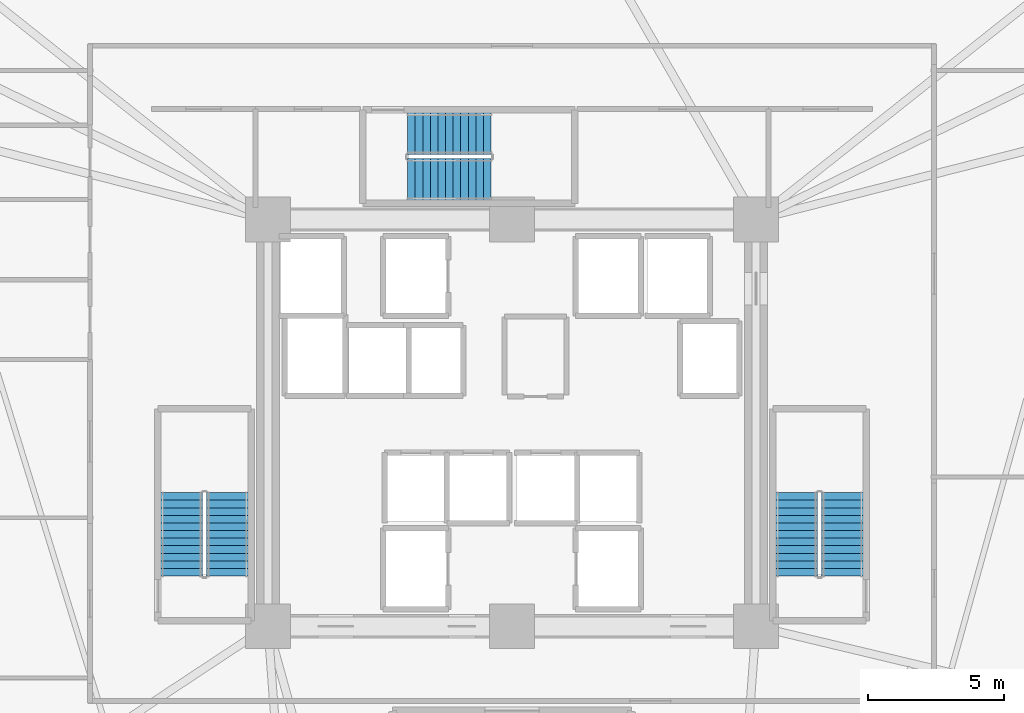
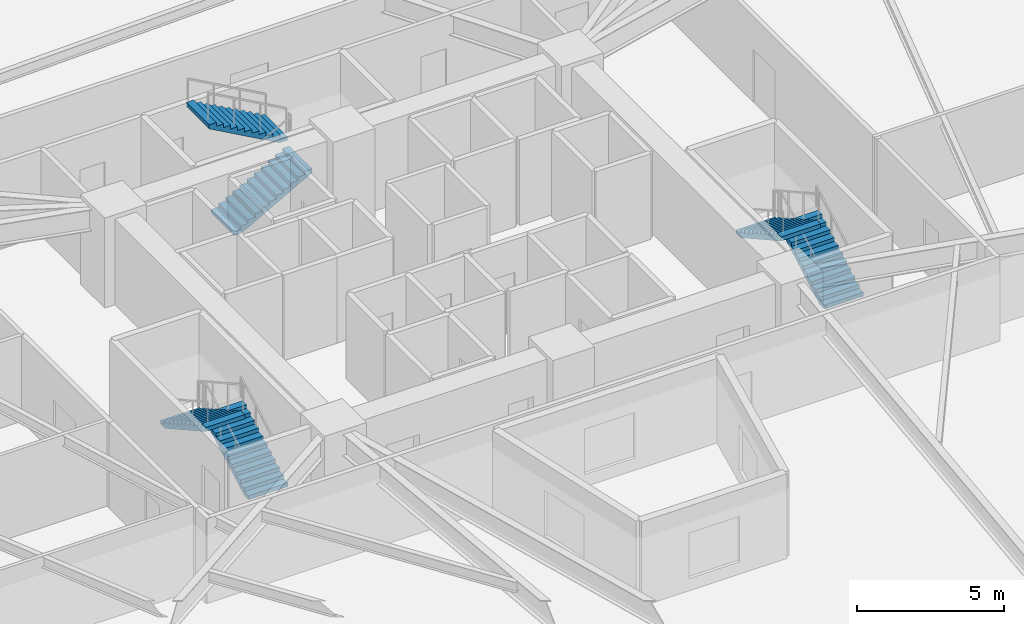
# One storey, part 7 of 9: 6 stair flights, 3 elements without a shape of their own.
"""IFC4 building model written with IfcOpenShell, lengths in metres."""

from ifc_helpers import new_model, si_unit, direction, frame, origin, place, context, subcontext, project, spatial, polyline, outline, extrude, material, type_object, element, aggregate, save


model = new_model("IFC4")

# Units and contexts
model_context = context("Model", 3, precision=1e-05, world=origin(), true_north=direction((0.0, 1.0)))
body_context = subcontext(model_context, "Body", "Model", "MODEL_VIEW")
ifc_project = project(units=[si_unit("LENGTHUNIT", "METRE"), si_unit("AREAUNIT", "SQUARE_METRE"), si_unit("VOLUMEUNIT", "CUBIC_METRE"), si_unit("PLANEANGLEUNIT", "RADIAN"), si_unit("MASSUNIT", "GRAM", prefix="KILO")], contexts=[model_context])

# Site, building, storey
site_placement = place(None, origin())
site = spatial("IfcSite", under=ifc_project, at=site_placement, CompositionType="ELEMENT")
building_placement = place(site_placement, origin())
building = spatial("IfcBuilding", under=site, at=building_placement, Name="Liaohun Quay Tower", CompositionType="ELEMENT")
storey_placement = place(building_placement, frame((0.0, 0.0, 28.5)))
storey = spatial("IfcBuildingStorey", under=building, at=storey_placement, Name="L07", CompositionType="ELEMENT", Elevation=28.5)

# Stair, stair flights
ifc_material = material(Name="Concrete C45", Category="concrete")
stair_type = type_object("IfcStairType", Name="STR-CORE-OFF", PredefinedType="HALF_TURN_STAIR", material=ifc_material)
stair_1_placement = place(storey_placement, origin())
stair_1 = element("IfcStair", 1, at=stair_1_placement, inside=storey, type_object=stair_type, Name="L07 Smokeproof Core Exit Stair ST-1", PredefinedType="HALF_TURN_STAIR")
stair_flight_type = type_object("IfcStairFlightType", Name="FLT-CORE-155", PredefinedType="STRAIGHT", material=ifc_material)
stair_flight_1_placement = place(storey_placement, frame((49.5048828125, 48.35009765625, 0.0), z_axis=(0.0, 0.0, 1.0), x_axis=(0.0, 1.0, 0.0)))
stair_flight_1 = element("IfcStairFlight", 2, at=stair_flight_1_placement, type_object=stair_flight_type, Name="ST-1 flight 1", NumberOfRisers=12, NumberOfTreads=11, PredefinedType="STRAIGHT", RiserHeight=0.15625, TreadLength=0.28, context=body_context, shape_type="SweptSolid", body=[
    extrude(outline(polyline([(0.0, 0.0), (0.0, 0.15625), (0.280029296875, 0.15625), (0.280029296875, 0.3125), (0.56005859375, 0.3125), (0.56005859375, 0.46875), (0.840087890625, 0.46875), (0.840087890625, 0.625), (1.1201171875, 0.625), (1.1201171875, 0.78125), (1.39990234375, 0.78125), (1.39990234375, 0.9375), (1.679931640625, 0.9375), (1.679931640625, 1.09375), (1.9599609375, 1.09375), (1.9599609375, 1.25), (2.239990234375, 1.25), (2.239990234375, 1.40625), (2.52001953125, 1.40625), (2.52001953125, 1.5625), (2.800048828125, 1.5625), (2.800048828125, 1.71875), (3.080078125, 1.71875), (3.080078125, 1.875), (3.080078125, 1.547119140625), (0.3076171875, 0.0), (0.0, 0.0)])), frame((0.0, 0.77490234375, 0.0), z_axis=(0.0, -1.0, 0.0), x_axis=(1.0, 0.0, 0.0)), (0.0, 0.0, 1.0), 1.550048828125),
])
stair_flight_2_placement = place(storey_placement, frame((47.81494140625, 51.429931640625, 1.875), z_axis=(0.0, 0.0, 1.0), x_axis=(0.0, -1.0, 0.0)))
stair_flight_2 = element("IfcStairFlight", 3, at=stair_flight_2_placement, type_object=stair_flight_type, Name="ST-1 flight 2", NumberOfRisers=12, NumberOfTreads=11, PredefinedType="STRAIGHT", RiserHeight=0.15625, TreadLength=0.28, context=body_context, shape_type="SweptSolid", body=[
    extrude(outline(polyline([(0.0, 0.0), (0.0, 0.15625), (0.280029296875, 0.15625), (0.280029296875, 0.3125), (0.56005859375, 0.3125), (0.56005859375, 0.46875), (0.840087890625, 0.46875), (0.840087890625, 0.625), (1.1201171875, 0.625), (1.1201171875, 0.78125), (1.39990234375, 0.78125), (1.39990234375, 0.9375), (1.679931640625, 0.9375), (1.679931640625, 1.09375), (1.9599609375, 1.09375), (1.9599609375, 1.25), (2.239990234375, 1.25), (2.239990234375, 1.40625), (2.52001953125, 1.40625), (2.52001953125, 1.5625), (2.800048828125, 1.5625), (2.800048828125, 1.71875), (3.080078125, 1.71875), (3.080078125, 1.875), (3.080078125, 1.547119140625), (0.3076171875, 0.0), (0.0, 0.0)])), frame((0.0, 0.77490234375, 0.0), z_axis=(0.0, -1.0, 0.0), x_axis=(1.0, 0.0, 0.0)), (0.0, 0.0, 1.0), 1.550048828125),
])
aggregate(stair_1, [stair_flight_1, stair_flight_2])

stair_2_placement = place(storey_placement, origin())
stair_2 = element("IfcStair", 4, at=stair_2_placement, inside=storey, type_object=stair_type, Name="L07 Smokeproof Core Exit Stair ST-2", PredefinedType="HALF_TURN_STAIR")
stair_flight_3_placement = place(storey_placement, frame((72.18505859375, 48.35009765625, 0.0), z_axis=(0.0, 0.0, 1.0), x_axis=(0.0, 1.0, 0.0)))
stair_flight_3 = element("IfcStairFlight", 5, at=stair_flight_3_placement, type_object=stair_flight_type, Name="ST-2 flight 1", NumberOfRisers=12, NumberOfTreads=11, PredefinedType="STRAIGHT", RiserHeight=0.15625, TreadLength=0.28, context=body_context, shape_type="SweptSolid", body=[
    extrude(outline(polyline([(0.0, 0.0), (0.0, 0.15625), (0.280029296875, 0.15625), (0.280029296875, 0.3125), (0.56005859375, 0.3125), (0.56005859375, 0.46875), (0.840087890625, 0.46875), (0.840087890625, 0.625), (1.1201171875, 0.625), (1.1201171875, 0.78125), (1.39990234375, 0.78125), (1.39990234375, 0.9375), (1.679931640625, 0.9375), (1.679931640625, 1.09375), (1.9599609375, 1.09375), (1.9599609375, 1.25), (2.239990234375, 1.25), (2.239990234375, 1.40625), (2.52001953125, 1.40625), (2.52001953125, 1.5625), (2.800048828125, 1.5625), (2.800048828125, 1.71875), (3.080078125, 1.71875), (3.080078125, 1.875), (3.080078125, 1.547119140625), (0.3076171875, 0.0), (0.0, 0.0)])), frame((0.0, 0.77490234375, 0.0), z_axis=(0.0, -1.0, 0.0), x_axis=(1.0, 0.0, 0.0)), (0.0, 0.0, 1.0), 1.550048828125),
])
stair_flight_4_placement = place(storey_placement, frame((70.4951171875, 51.429931640625, 1.875), z_axis=(0.0, 0.0, 1.0), x_axis=(0.0, -1.0, 0.0)))
stair_flight_4 = element("IfcStairFlight", 6, at=stair_flight_4_placement, type_object=stair_flight_type, Name="ST-2 flight 2", NumberOfRisers=12, NumberOfTreads=11, PredefinedType="STRAIGHT", RiserHeight=0.15625, TreadLength=0.28, context=body_context, shape_type="SweptSolid", body=[
    extrude(outline(polyline([(0.0, 0.0), (0.0, 0.15625), (0.280029296875, 0.15625), (0.280029296875, 0.3125), (0.56005859375, 0.3125), (0.56005859375, 0.46875), (0.840087890625, 0.46875), (0.840087890625, 0.625), (1.1201171875, 0.625), (1.1201171875, 0.78125), (1.39990234375, 0.78125), (1.39990234375, 0.9375), (1.679931640625, 0.9375), (1.679931640625, 1.09375), (1.9599609375, 1.09375), (1.9599609375, 1.25), (2.239990234375, 1.25), (2.239990234375, 1.40625), (2.52001953125, 1.40625), (2.52001953125, 1.5625), (2.800048828125, 1.5625), (2.800048828125, 1.71875), (3.080078125, 1.71875), (3.080078125, 1.875), (3.080078125, 1.547119140625), (0.3076171875, 0.0), (0.0, 0.0)])), frame((0.0, 0.77490234375, 0.0), z_axis=(0.0, -1.0, 0.0), x_axis=(1.0, 0.0, 0.0)), (0.0, 0.0, 1.0), 1.550048828125),
])
aggregate(stair_2, [stair_flight_3, stair_flight_4])

stair_3_placement = place(storey_placement, origin())
stair_3 = element("IfcStair", 7, at=stair_3_placement, inside=storey, type_object=stair_type, Name="L07 Smokeproof Core Exit Stair ST-3", PredefinedType="HALF_TURN_STAIR")
stair_flight_5_placement = place(storey_placement, frame((56.14990234375, 62.97509765625, 0.0), z_axis=(0.0, 0.0, 1.0), x_axis=(1.0, 0.0, 0.0)))
stair_flight_5 = element("IfcStairFlight", 8, at=stair_flight_5_placement, type_object=stair_flight_type, Name="ST-3 flight 1", NumberOfRisers=12, NumberOfTreads=11, PredefinedType="STRAIGHT", RiserHeight=0.15625, TreadLength=0.28, context=body_context, shape_type="SweptSolid", body=[
    extrude(outline(polyline([(0.0, 0.0), (0.0, 0.15625), (0.280029296875, 0.15625), (0.280029296875, 0.3125), (0.56005859375, 0.3125), (0.56005859375, 0.46875), (0.840087890625, 0.46875), (0.840087890625, 0.625), (1.1201171875, 0.625), (1.1201171875, 0.78125), (1.39990234375, 0.78125), (1.39990234375, 0.9375), (1.679931640625, 0.9375), (1.679931640625, 1.09375), (1.9599609375, 1.09375), (1.9599609375, 1.25), (2.239990234375, 1.25), (2.239990234375, 1.40625), (2.52001953125, 1.40625), (2.52001953125, 1.5625), (2.800048828125, 1.5625), (2.800048828125, 1.71875), (3.080078125, 1.71875), (3.080078125, 1.875), (3.080078125, 1.547119140625), (0.3076171875, 0.0), (0.0, 0.0)])), frame((0.0, 0.77490234375, 0.0), z_axis=(0.0, -1.0, 0.0), x_axis=(1.0, 0.0, 0.0)), (0.0, 0.0, 1.0), 1.550048828125),
])
stair_flight_6_placement = place(storey_placement, frame((59.22998046875, 64.6650390625, 1.875), z_axis=(0.0, 0.0, 1.0), x_axis=(-1.0, 0.0, 0.0)))
stair_flight_6 = element("IfcStairFlight", 9, at=stair_flight_6_placement, type_object=stair_flight_type, Name="ST-3 flight 2", NumberOfRisers=12, NumberOfTreads=11, PredefinedType="STRAIGHT", RiserHeight=0.15625, TreadLength=0.28, context=body_context, shape_type="SweptSolid", body=[
    extrude(outline(polyline([(0.0, 0.0), (0.0, 0.15625), (0.280029296875, 0.15625), (0.280029296875, 0.3125), (0.56005859375, 0.3125), (0.56005859375, 0.46875), (0.840087890625, 0.46875), (0.840087890625, 0.625), (1.1201171875, 0.625), (1.1201171875, 0.78125), (1.39990234375, 0.78125), (1.39990234375, 0.9375), (1.679931640625, 0.9375), (1.679931640625, 1.09375), (1.9599609375, 1.09375), (1.9599609375, 1.25), (2.239990234375, 1.25), (2.239990234375, 1.40625), (2.52001953125, 1.40625), (2.52001953125, 1.5625), (2.800048828125, 1.5625), (2.800048828125, 1.71875), (3.080078125, 1.71875), (3.080078125, 1.875), (3.080078125, 1.547119140625), (0.3076171875, 0.0), (0.0, 0.0)])), frame((0.0, 0.77490234375, 0.0), z_axis=(0.0, -1.0, 0.0), x_axis=(1.0, 0.0, 0.0)), (0.0, 0.0, 1.0), 1.550048828125),
])
aggregate(stair_3, [stair_flight_5, stair_flight_6])

save(model, "model.ifc")
